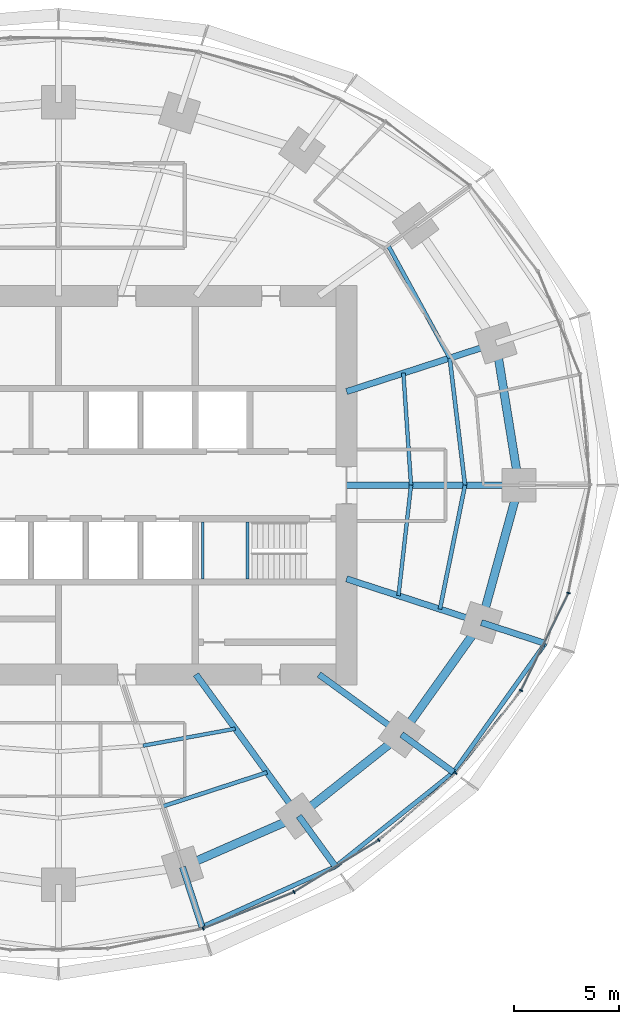
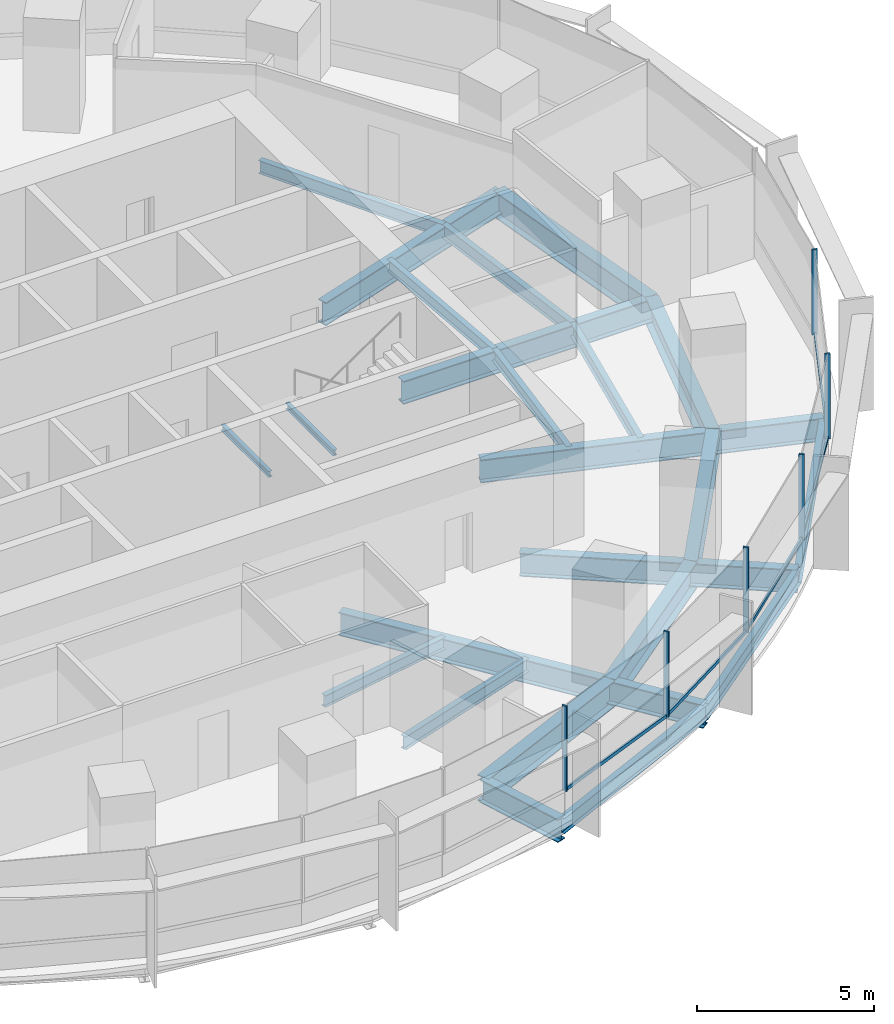
# One storey, part 5 of 14: 26 beams, 11 members, 2 elements without a shape of their own.
"""IFC4 building model written with IfcOpenShell, lengths in metres."""

from ifc_helpers import new_model, si_unit, direction, frame, origin, origin_2d, place, context, subcontext, project, spatial, rectangle, i_section, extrude, material, material_profile, profile_set, type_object, element, aggregate, save


model = new_model("IFC4")

# Units and contexts
model_context = context("Model", 3, precision=1e-05, world=origin(), true_north=direction((0.0, 1.0)))
body_context = subcontext(model_context, "Body", "Model", "MODEL_VIEW")
ifc_project = project(units=[si_unit("LENGTHUNIT", "METRE"), si_unit("AREAUNIT", "SQUARE_METRE"), si_unit("VOLUMEUNIT", "CUBIC_METRE"), si_unit("PLANEANGLEUNIT", "RADIAN"), si_unit("MASSUNIT", "GRAM", prefix="KILO")], contexts=[model_context])

# Site, building, storey
site_placement = place(None, origin())
site = spatial("IfcSite", under=ifc_project, at=site_placement, CompositionType="ELEMENT")
building_placement = place(site_placement, origin())
building = spatial("IfcBuilding", under=site, at=building_placement, Name="Marramba Exchange Tower", CompositionType="ELEMENT")
storey_placement = place(building_placement, frame((0.0, 0.0, 100.199951171875)))
storey = spatial("IfcBuildingStorey", under=building, at=storey_placement, Name="L23", CompositionType="ELEMENT", Elevation=100.199951171875)

# Beams
ifc_material_1 = material(Name="Steel AS/NZS 3679.2 grade 300", Category="steel")
ifc_material_profile_1 = material_profile(ifc_material_1, i_section(OverallWidth=0.300048828125, OverallDepth=0.800048828125, WebThickness=0.013916015625, FlangeThickness=0.031982421875, at=origin_2d()), Name="800WB192")
ifc_profile_set_1 = profile_set([ifc_material_profile_1], Name="Steel AS/NZS 3679.2 grade 300")
beam_type_1 = type_object("IfcBeamType", Name="Cantilever girder 800WB192", PredefinedType="BEAM", material=ifc_profile_set_1)
beam_1_placement = place(storey_placement, frame((5.899658203125, -18.156982421875, -0.56005859375), z_axis=(0.30903246226, -0.951051490336, 0.0), x_axis=(0.951051490336, 0.30903246226, 0.0)))
element("IfcBeam", 1, at=beam_1_placement, inside=storey, type_object=beam_type_1, Name="Cantilever girder L23 TC17", PredefinedType="BEAM", context=body_context, shape_type="SweptSolid", body=[
    extrude(i_section(OverallWidth=0.300048828125, OverallDepth=0.800048828125, WebThickness=0.013916015625, FlangeThickness=0.031982421875, at=origin_2d()), origin(), (0.0, 0.0, 1.0), 2.986328125),
])
beam_2_placement = place(storey_placement, frame((11.430419921875, -15.732666015625, -0.56005859375), z_axis=(0.587794986183, -0.8090099222, 0.0), x_axis=(0.8090099222, 0.587794986183, 0.0)))
element("IfcBeam", 2, at=beam_2_placement, inside=storey, type_object=beam_type_1, Name="Cantilever girder L23 TC18", PredefinedType="BEAM", context=body_context, shape_type="SweptSolid", body=[
    extrude(i_section(OverallWidth=0.300048828125, OverallDepth=0.800048828125, WebThickness=0.013916015625, FlangeThickness=0.031982421875, at=origin_2d()), origin(), (0.0, 0.0, 1.0), 2.9677734375),
])
beam_3_placement = place(storey_placement, frame((16.3154296875, -11.853759765625, -0.56005859375), z_axis=(0.809026231081, -0.587772538847, 0.0), x_axis=(0.587772538847, 0.809026231081, 0.0)))
element("IfcBeam", 3, at=beam_3_placement, inside=storey, type_object=beam_type_1, Name="Cantilever girder L23 TC19", PredefinedType="BEAM", context=body_context, shape_type="SweptSolid", body=[
    extrude(i_section(OverallWidth=0.300048828125, OverallDepth=0.800048828125, WebThickness=0.013916015625, FlangeThickness=0.031982421875, at=origin_2d()), origin(), (0.0, 0.0, 1.0), 3.055419921875),
])
beam_4_placement = place(storey_placement, frame((20.109375, -6.533935546875, -0.56005859375), z_axis=(0.951054839063, -0.309022156318, 0.0), x_axis=(0.309022156318, 0.951054839063, 0.0)))
element("IfcBeam", 4, at=beam_4_placement, inside=storey, type_object=beam_type_1, Name="Cantilever girder L23 TC20", PredefinedType="BEAM", context=body_context, shape_type="SweptSolid", body=[
    extrude(i_section(OverallWidth=0.300048828125, OverallDepth=0.800048828125, WebThickness=0.013916015625, FlangeThickness=0.031982421875, at=origin_2d()), origin(), (0.0, 0.0, 1.0), 3.19580078125),
])
ifc_material_2 = material(Name="Steel AS/NZS 3679.1 grade 300", Category="steel")
ifc_material_profile_2 = material_profile(ifc_material_2, i_section(OverallWidth=0.177978515625, OverallDepth=0.406005859375, WebThickness=0.0078125, FlangeThickness=0.0126953125, FilletRadius=0.011474609375, at=origin_2d()), Name="410UB59.7")
ifc_profile_set_2 = profile_set([ifc_material_profile_2], Name="Steel AS/NZS 3679.1 grade 300")
beam_type_2 = type_object("IfcBeamType", Name="Floor joist 410UB59.7", PredefinedType="JOIST", material=ifc_profile_set_2)
beam_5_placement = place(storey_placement, frame((16.7666015625, 0.0, -0.363037109375), z_axis=(-0.068096259546, 0.99767875563, 0.0), x_axis=(-0.99767875563, -0.068096259546, 0.0)))
element("IfcBeam", 5, at=beam_5_placement, inside=storey, type_object=beam_type_2, Name="Joist L23 bay 01 row 1", PredefinedType="JOIST", context=body_context, shape_type="SweptSolid", body=[
    extrude(i_section(OverallWidth=0.177978515625, OverallDepth=0.406005859375, WebThickness=0.0078125, FlangeThickness=0.0126953125, FilletRadius=0.011474609375, at=origin_2d()), origin(), (0.0, 0.0, 1.0), 5.342041015625),
])
beam_6_placement = place(storey_placement, frame((4.0244140625, -12.3857421875, -0.363037109375), z_axis=(0.983455754421, 0.181148500119, 0.0), x_axis=(-0.181148500119, 0.983455754421, 0.0)))
element("IfcBeam", 6, at=beam_6_placement, inside=storey, type_object=beam_type_2, Name="Joist L23 bay 17 row 1", PredefinedType="JOIST", context=body_context, shape_type="SweptSolid", body=[
    extrude(i_section(OverallWidth=0.177978515625, OverallDepth=0.406005859375, WebThickness=0.0078125, FlangeThickness=0.0126953125, FilletRadius=0.011474609375, at=origin_2d()), origin(), (0.0, 0.0, 1.0), 4.4609375),
])
beam_7_placement = place(storey_placement, frame((16.169677734375, -5.25390625, -0.363037109375), z_axis=(0.112888968594, 0.993607609054, 0.0), x_axis=(-0.993607609054, 0.112888968594, 0.0)))
element("IfcBeam", 7, at=beam_7_placement, inside=storey, type_object=beam_type_2, Name="Joist L23 bay 20 row 1", PredefinedType="JOIST", context=body_context, shape_type="SweptSolid", body=[
    extrude(i_section(OverallWidth=0.177978515625, OverallDepth=0.406005859375, WebThickness=0.0078125, FlangeThickness=0.0126953125, FilletRadius=0.011474609375, at=origin_2d()), origin(), (0.0, 0.0, 1.0), 5.28759765625),
])
ifc_material_profile_3 = material_profile(ifc_material_2, i_section(OverallWidth=0.18994140625, OverallDepth=0.4541015625, WebThickness=0.008544921875, FlangeThickness=0.0126953125, FilletRadius=0.011474609375, at=origin_2d()), Name="460UB67.1")
ifc_profile_set_3 = profile_set([ifc_material_profile_3], Name="Steel AS/NZS 3679.1 grade 300")
beam_type_3 = type_object("IfcBeamType", Name="Floor joist 460UB67.1", PredefinedType="JOIST", material=ifc_profile_set_3)
beam_8_placement = place(storey_placement, frame((19.333251953125, 0.0, -0.386962890625), z_axis=(-0.119523078538, 0.992831422597, 0.0), x_axis=(-0.992831422597, -0.119523078538, 0.0)))
element("IfcBeam", 8, at=beam_8_placement, inside=storey, type_object=beam_type_3, Name="Joist L23 bay 01 row 2", PredefinedType="JOIST", context=body_context, shape_type="SweptSolid", body=[
    extrude(i_section(OverallWidth=0.18994140625, OverallDepth=0.4541015625, WebThickness=0.008544921875, FlangeThickness=0.0126953125, FilletRadius=0.011474609375, at=origin_2d()), origin(), (0.0, 0.0, 1.0), 6.089111328125),
])
beam_9_placement = place(storey_placement, frame((18.60546875, 6.04541015625, -0.386962890625), z_axis=(-0.479584443791, 0.877495732909, 0.0), x_axis=(-0.877495732909, -0.479584443791, 0.0)))
element("IfcBeam", 9, at=beam_9_placement, inside=storey, type_object=beam_type_3, Name="Joist L23 bay 02 row 2", PredefinedType="JOIST", context=body_context, shape_type="SweptSolid", body=[
    extrude(i_section(OverallWidth=0.18994140625, OverallDepth=0.4541015625, WebThickness=0.008544921875, FlangeThickness=0.0126953125, FilletRadius=0.011474609375, at=origin_2d()), origin(), (0.0, 0.0, 1.0), 6.094970703125),
])
beam_10_placement = place(storey_placement, frame((4.9619140625, -15.271484375, -0.386962890625), z_axis=(0.950764024931, 0.309915744834, 0.0), x_axis=(-0.309915744834, 0.950764024931, 0.0)))
element("IfcBeam", 10, at=beam_10_placement, inside=storey, type_object=beam_type_3, Name="Joist L23 bay 17 row 2", PredefinedType="JOIST", context=body_context, shape_type="SweptSolid", body=[
    extrude(i_section(OverallWidth=0.18994140625, OverallDepth=0.4541015625, WebThickness=0.008544921875, FlangeThickness=0.0126953125, FilletRadius=0.011474609375, at=origin_2d()), origin(), (0.0, 0.0, 1.0), 5.2158203125),
])
beam_11_placement = place(storey_placement, frame((18.1396484375, -5.893798828125, -0.386962890625), z_axis=(0.198489047047, 0.980103105904, 0.0), x_axis=(-0.980103105904, 0.198489047047, 0.0)))
element("IfcBeam", 11, at=beam_11_placement, inside=storey, type_object=beam_type_3, Name="Joist L23 bay 20 row 2", PredefinedType="JOIST", context=body_context, shape_type="SweptSolid", body=[
    extrude(i_section(OverallWidth=0.18994140625, OverallDepth=0.4541015625, WebThickness=0.008544921875, FlangeThickness=0.0126953125, FilletRadius=0.011474609375, at=origin_2d()), origin(), (0.0, 0.0, 1.0), 6.013427734375),
])

# Curtain wall, member
ifc_material_3 = material(Name="Aluminium framing, bronze anodised", Category="aluminium")
curtain_wall_type = type_object("IfcCurtainWallType", Name="Office ribbon curtain wall", PredefinedType="USERDEFINED", material=ifc_material_3)
curtain_wall_1_placement = place(storey_placement, origin())
curtain_wall_1 = element("IfcCurtainWall", 12, at=curtain_wall_1_placement, inside=storey, type_object=curtain_wall_type, Name="Curtain wall CW4 L23 F21-F25", ObjectType="RIBBON CURTAIN WALL", PredefinedType="USERDEFINED")
ifc_material_4 = material(Name="Aluminium mullion, bronze anodised", Category="aluminium")
ifc_material_profile_4 = material_profile(ifc_material_4, rectangle(XDim=0.159912109375, YDim=0.06005859375, at=origin_2d()), Name="CW4 mullion 60x160")
ifc_profile_set_4 = profile_set([ifc_material_profile_4], Name="Aluminium mullion, bronze anodised")
member_type_1 = type_object("IfcMemberType", Name="Office ribbon curtain wall mullion", PredefinedType="MULLION", material=ifc_profile_set_4)
member_1_placement = place(storey_placement, frame((6.881103515625, -21.0810546875, 0.800048828125), z_axis=(0.0, 0.0, 1.0), x_axis=(-0.372209067082, 0.928148916059, 0.0)))
member_1 = element("IfcMember", 13, at=member_1_placement, type_object=member_type_1, Name="CW4 mullion 1", PredefinedType="MULLION", context=body_context, shape_type="SweptSolid", body=[
    extrude(rectangle(XDim=0.159912109375, YDim=0.06005859375, at=origin_2d()), origin(), (0.0, 0.0, 1.0), 2.93994140625),
])

# Curtain wall, members
curtain_wall_2_placement = place(storey_placement, origin())
curtain_wall_2 = element("IfcCurtainWall", 14, at=curtain_wall_2_placement, inside=storey, type_object=curtain_wall_type, Name="Curtain wall CW4 L23 F26-F30", ObjectType="RIBBON CURTAIN WALL", PredefinedType="USERDEFINED")
member_2_placement = place(storey_placement, frame((11.2021484375, -19.3427734375, 0.800048828125), z_axis=(0.0, 0.0, 1.0), x_axis=(-0.521732535664, 0.853109114492, 0.0)))
member_2 = element("IfcMember", 15, at=member_2_placement, type_object=member_type_1, Name="CW4 mullion 1", PredefinedType="MULLION", context=body_context, shape_type="SweptSolid", body=[
    extrude(rectangle(XDim=0.159912109375, YDim=0.06005859375, at=origin_2d()), origin(), (0.0, 0.0, 1.0), 2.93994140625),
])
member_3_placement = place(storey_placement, frame((15.232177734375, -16.872314453125, 0.800048828125), z_axis=(0.0, 0.0, 1.0), x_axis=(-0.656431647438, 0.754385506384, 0.0)))
member_3 = element("IfcMember", 16, at=member_3_placement, type_object=member_type_1, Name="CW4 mullion 1", PredefinedType="MULLION", context=body_context, shape_type="SweptSolid", body=[
    extrude(rectangle(XDim=0.159912109375, YDim=0.06005859375, at=origin_2d()), origin(), (0.0, 0.0, 1.0), 2.93994140625),
])
member_4_placement = place(storey_placement, frame((18.886962890625, -13.68505859375, 0.800048828125), z_axis=(0.0, 0.0, 1.0), x_axis=(-0.783170139469, 0.621807472329, 0.0)))
member_4 = element("IfcMember", 17, at=member_4_placement, type_object=member_type_1, Name="CW4 mullion 1", PredefinedType="MULLION", context=body_context, shape_type="SweptSolid", body=[
    extrude(rectangle(XDim=0.159912109375, YDim=0.06005859375, at=origin_2d()), origin(), (0.0, 0.0, 1.0), 2.93994140625),
])
member_5_placement = place(storey_placement, frame((21.994873046875, -9.760009765625, 0.800048828125), z_axis=(0.0, 0.0, 1.0), x_axis=(-0.89844486976, 0.439086342308, 0.0)))
member_5 = element("IfcMember", 18, at=member_5_placement, type_object=member_type_1, Name="CW4 mullion 1", PredefinedType="MULLION", context=body_context, shape_type="SweptSolid", body=[
    extrude(rectangle(XDim=0.159912109375, YDim=0.06005859375, at=origin_2d()), origin(), (0.0, 0.0, 1.0), 2.93994140625),
])
member_6_placement = place(storey_placement, frame((24.252197265625, -5.124267578125, 0.800048828125), z_axis=(0.0, 0.0, 1.0), x_axis=(-0.980393739376, 0.197048511267, 0.0)))
member_6 = element("IfcMember", 19, at=member_6_placement, type_object=member_type_1, Name="CW4 mullion 1", PredefinedType="MULLION", context=body_context, shape_type="SweptSolid", body=[
    extrude(rectangle(XDim=0.159912109375, YDim=0.06005859375, at=origin_2d()), origin(), (0.0, 0.0, 1.0), 2.93994140625),
])

# Member
ifc_material_5 = material(Name="Aluminium transom, bronze anodised", Category="aluminium")
ifc_material_profile_5 = material_profile(ifc_material_5, rectangle(XDim=0.06005859375, YDim=0.1201171875, at=origin_2d()), Name="CW4 transom 60x120")
ifc_profile_set_5 = profile_set([ifc_material_profile_5], Name="Aluminium transom, bronze anodised")
member_type_2 = type_object("IfcMemberType", Name="Office ribbon curtain wall transom", PredefinedType="USERDEFINED", material=ifc_profile_set_5)
member_7_placement = place(storey_placement, frame((6.908935546875, -21.06982421875, 0.830078125), z_axis=(0.928146753748, 0.372214459026, 0.0), x_axis=(-0.372214459026, 0.928146753748, 0.0)))
member_7 = element("IfcMember", 20, at=member_7_placement, type_object=member_type_2, Name="CW4 sill transom", ObjectType="TRANSOM", PredefinedType="USERDEFINED", context=body_context, shape_type="SweptSolid", body=[
    extrude(rectangle(XDim=0.06005859375, YDim=0.1201171875, at=origin_2d()), origin(), (0.0, 0.0, 1.0), 4.597900390625),
])

aggregate(curtain_wall_1, [member_1, member_7])

member_8_placement = place(storey_placement, frame((11.227783203125, -19.3271484375, 0.830078125), z_axis=(0.853124051379, 0.52170811088, 0.0), x_axis=(-0.52170811088, 0.853124051379, 0.0)))
member_8 = element("IfcMember", 21, at=member_8_placement, type_object=member_type_2, Name="CW4 sill transom", ObjectType="TRANSOM", PredefinedType="USERDEFINED", context=body_context, shape_type="SweptSolid", body=[
    extrude(rectangle(XDim=0.06005859375, YDim=0.1201171875, at=origin_2d()), origin(), (0.0, 0.0, 1.0), 4.66748046875),
])

member_9_placement = place(storey_placement, frame((15.2548828125, -16.8525390625, 0.830078125), z_axis=(0.754392594189, 0.65642350189, 0.0), x_axis=(-0.65642350189, 0.754392594189, 0.0)))
member_9 = element("IfcMember", 22, at=member_9_placement, type_object=member_type_2, Name="CW4 sill transom", ObjectType="TRANSOM", PredefinedType="USERDEFINED", context=body_context, shape_type="SweptSolid", body=[
    extrude(rectangle(XDim=0.06005859375, YDim=0.1201171875, at=origin_2d()), origin(), (0.0, 0.0, 1.0), 4.78955078125),
])

member_10_placement = place(storey_placement, frame((18.905517578125, -13.66162109375, 0.830078125), z_axis=(0.621777997945, 0.783193540111, 0.0), x_axis=(-0.783193540111, 0.621777997945, 0.0)))
member_10 = element("IfcMember", 23, at=member_10_placement, type_object=member_type_2, Name="CW4 sill transom", ObjectType="TRANSOM", PredefinedType="USERDEFINED", context=body_context, shape_type="SweptSolid", body=[
    extrude(rectangle(XDim=0.06005859375, YDim=0.1201171875, at=origin_2d()), origin(), (0.0, 0.0, 1.0), 4.947265625),
])

member_11_placement = place(storey_placement, frame((22.008056640625, -9.73291015625, 0.830078125), z_axis=(0.439090714557, 0.898442732949, 0.0), x_axis=(-0.898442732949, 0.439090714557, 0.0)))
member_11 = element("IfcMember", 24, at=member_11_placement, type_object=member_type_2, Name="CW4 sill transom", ObjectType="TRANSOM", PredefinedType="USERDEFINED", context=body_context, shape_type="SweptSolid", body=[
    extrude(rectangle(XDim=0.06005859375, YDim=0.1201171875, at=origin_2d()), origin(), (0.0, 0.0, 1.0), 5.096923828125),
])

aggregate(curtain_wall_2, [member_2, member_8, member_3, member_9, member_4, member_10, member_5, member_11, member_6])

# Beams
ifc_material_profile_6 = material_profile(ifc_material_1, i_section(OverallWidth=0.300048828125, OverallDepth=0.800048828125, WebThickness=0.013916015625, FlangeThickness=0.031982421875, at=origin_2d()), Name="800WB192")
ifc_profile_set_6 = profile_set([ifc_material_profile_6], Name="Steel AS/NZS 3679.2 grade 300")
beam_type_4 = type_object("IfcBeamType", Name="Radial girder 800WB192", PredefinedType="BEAM", material=ifc_profile_set_6)
beam_12_placement = place(storey_placement, frame((13.699951171875, 0.0, -0.56005859375), z_axis=(1.0, 0.0, 0.0), x_axis=(0.0, 1.0, 0.0)))
element("IfcBeam", 25, at=beam_12_placement, inside=storey, type_object=beam_type_4, Name="Radial girder L23 TC01", PredefinedType="BEAM", context=body_context, shape_type="SweptSolid", body=[
    extrude(i_section(OverallWidth=0.300048828125, OverallDepth=0.800048828125, WebThickness=0.013916015625, FlangeThickness=0.031982421875, at=origin_2d()), origin(), (0.0, 0.0, 1.0), 8.199951171875),
])
beam_13_placement = place(storey_placement, frame((13.699951171875, 4.451416015625, -0.56005859375), z_axis=(0.951059990189, 0.309006302624, 0.0), x_axis=(-0.309006302624, 0.951059990189, 0.0)))
element("IfcBeam", 26, at=beam_13_placement, inside=storey, type_object=beam_type_4, Name="Radial girder L23 TC02", PredefinedType="BEAM", context=body_context, shape_type="SweptSolid", body=[
    extrude(i_section(OverallWidth=0.300048828125, OverallDepth=0.800048828125, WebThickness=0.013916015625, FlangeThickness=0.031982421875, at=origin_2d()), origin(), (0.0, 0.0, 1.0), 7.47412109375),
])
beam_14_placement = place(storey_placement, frame((6.538818359375, -9.0, -0.56005859375), z_axis=(0.587787877172, -0.809015087282, 0.0), x_axis=(0.809015087282, 0.587787877172, 0.0)))
element("IfcBeam", 27, at=beam_14_placement, inside=storey, type_object=beam_type_4, Name="Radial girder L23 TC18", PredefinedType="BEAM", context=body_context, shape_type="SweptSolid", body=[
    extrude(i_section(OverallWidth=0.300048828125, OverallDepth=0.800048828125, WebThickness=0.013916015625, FlangeThickness=0.031982421875, at=origin_2d()), origin(), (0.0, 0.0, 1.0), 8.322021484375),
])
beam_15_placement = place(storey_placement, frame((12.387451171875, -9.0, -0.56005859375), z_axis=(0.809025189606, -0.58777397236, 0.0), x_axis=(0.58777397236, 0.809025189606, 0.0)))
element("IfcBeam", 28, at=beam_15_placement, inside=storey, type_object=beam_type_4, Name="Radial girder L23 TC19", PredefinedType="BEAM", context=body_context, shape_type="SweptSolid", body=[
    extrude(i_section(OverallWidth=0.300048828125, OverallDepth=0.800048828125, WebThickness=0.013916015625, FlangeThickness=0.031982421875, at=origin_2d()), origin(), (0.0, 0.0, 1.0), 4.855224609375),
])
beam_16_placement = place(storey_placement, frame((13.699951171875, -4.451416015625, -0.56005859375), z_axis=(0.951057759669, -0.309013167637, 0.0), x_axis=(0.309013167637, 0.951057759669, 0.0)))
element("IfcBeam", 29, at=beam_16_placement, inside=storey, type_object=beam_type_4, Name="Radial girder L23 TC20", PredefinedType="BEAM", context=body_context, shape_type="SweptSolid", body=[
    extrude(i_section(OverallWidth=0.300048828125, OverallDepth=0.800048828125, WebThickness=0.013916015625, FlangeThickness=0.031982421875, at=origin_2d()), origin(), (0.0, 0.0, 1.0), 6.7392578125),
])
ifc_material_profile_7 = material_profile(ifc_material_1, i_section(OverallWidth=0.39990234375, OverallDepth=0.89990234375, WebThickness=0.01611328125, FlangeThickness=0.031982421875, at=origin_2d()), Name="900WB282")
ifc_profile_set_7 = profile_set([ifc_material_profile_7], Name="Steel AS/NZS 3679.2 grade 300")
beam_type_5 = type_object("IfcBeamType", Name="Ring beam 900WB282", PredefinedType="SPANDREL", material=ifc_profile_set_7)
beam_17_placement = place(storey_placement, frame((21.89990234375, 0.0, -0.60986328125), z_axis=(-0.159384865399, 0.987216523708, 0.0), x_axis=(-0.987216523708, -0.159384865399, 0.0)))
element("IfcBeam", 30, at=beam_17_placement, inside=storey, type_object=beam_type_5, Name="Ring beam L23 TC01-TC02", PredefinedType="SPANDREL", context=body_context, shape_type="SweptSolid", body=[
    extrude(i_section(OverallWidth=0.39990234375, OverallDepth=0.89990234375, WebThickness=0.01611328125, FlangeThickness=0.031982421875, at=origin_2d()), origin(), (0.0, 0.0, 1.0), 6.8486328125),
])
beam_18_placement = place(storey_placement, frame((5.899658203125, -18.156982421875, -0.60986328125), z_axis=(0.915876892158, 0.4014592363, 0.0), x_axis=(-0.4014592363, 0.915876892158, 0.0)))
element("IfcBeam", 31, at=beam_18_placement, inside=storey, type_object=beam_type_5, Name="Ring beam L23 TC17-TC18", PredefinedType="SPANDREL", context=body_context, shape_type="SweptSolid", body=[
    extrude(i_section(OverallWidth=0.39990234375, OverallDepth=0.89990234375, WebThickness=0.01611328125, FlangeThickness=0.031982421875, at=origin_2d()), origin(), (0.0, 0.0, 1.0), 6.038818359375),
])
beam_19_placement = place(storey_placement, frame((11.430419921875, -15.732666015625, -0.60986328125), z_axis=(0.783139438128, 0.621846138887, 0.0), x_axis=(-0.621846138887, 0.783139438128, 0.0)))
element("IfcBeam", 32, at=beam_19_placement, inside=storey, type_object=beam_type_5, Name="Ring beam L23 TC18-TC19", PredefinedType="SPANDREL", context=body_context, shape_type="SweptSolid", body=[
    extrude(i_section(OverallWidth=0.39990234375, OverallDepth=0.89990234375, WebThickness=0.01611328125, FlangeThickness=0.031982421875, at=origin_2d()), origin(), (0.0, 0.0, 1.0), 6.23779296875),
])
beam_20_placement = place(storey_placement, frame((16.3154296875, -11.853759765625, -0.60986328125), z_axis=(0.580637181111, 0.814162430914, 0.0), x_axis=(-0.814162430914, 0.580637181111, 0.0)))
element("IfcBeam", 33, at=beam_20_placement, inside=storey, type_object=beam_type_5, Name="Ring beam L23 TC19-TC20", PredefinedType="SPANDREL", context=body_context, shape_type="SweptSolid", body=[
    extrude(i_section(OverallWidth=0.39990234375, OverallDepth=0.89990234375, WebThickness=0.01611328125, FlangeThickness=0.031982421875, at=origin_2d()), origin(), (0.0, 0.0, 1.0), 6.5341796875),
])
beam_21_placement = place(storey_placement, frame((20.109375, -6.533935546875, -0.60986328125), z_axis=(0.264291166956, 0.964442937176, 0.0), x_axis=(-0.964442937176, 0.264291166956, 0.0)))
element("IfcBeam", 34, at=beam_21_placement, inside=storey, type_object=beam_type_5, Name="Ring beam L23 TC20-TC01", PredefinedType="SPANDREL", context=body_context, shape_type="SweptSolid", body=[
    extrude(i_section(OverallWidth=0.39990234375, OverallDepth=0.89990234375, WebThickness=0.01611328125, FlangeThickness=0.031982421875, at=origin_2d()), origin(), (0.0, 0.0, 1.0), 6.77490234375),
])
ifc_material_profile_8 = material_profile(ifc_material_2, i_section(OverallWidth=0.208984375, OverallDepth=0.528076171875, WebThickness=0.009521484375, FlangeThickness=0.01318359375, FilletRadius=0.013916015625, at=origin_2d()), Name="530UB82.0")
ifc_profile_set_8 = profile_set([ifc_material_profile_8], Name="Steel AS/NZS 3679.1 grade 300")
beam_type_6 = type_object("IfcBeamType", Name="Slab edge beam 530UB82.0", PredefinedType="SPANDREL", material=ifc_profile_set_8)
beam_22_placement = place(storey_placement, frame((6.822509765625, -20.9970703125, -0.424072265625), z_axis=(0.911653171624, 0.410960453898, 0.0), x_axis=(-0.410960453898, 0.911653171624, 0.0)))
element("IfcBeam", 35, at=beam_22_placement, inside=storey, type_object=beam_type_6, Name="Slab edge beam L23 TC17-TC18", PredefinedType="SPANDREL", context=body_context, shape_type="SweptSolid", body=[
    extrude(i_section(OverallWidth=0.208984375, OverallDepth=0.528076171875, WebThickness=0.009521484375, FlangeThickness=0.01318359375, FilletRadius=0.013916015625, at=origin_2d()), origin(), (0.0, 0.0, 1.0), 6.9677734375),
])
beam_23_placement = place(storey_placement, frame((13.1748046875, -18.133544921875, -0.424072265625), z_axis=(0.781286404457, 0.624172695822, 0.0), x_axis=(-0.624172695822, 0.781286404457, 0.0)))
element("IfcBeam", 36, at=beam_23_placement, inside=storey, type_object=beam_type_6, Name="Slab edge beam L23 TC18-TC19", PredefinedType="SPANDREL", context=body_context, shape_type="SweptSolid", body=[
    extrude(i_section(OverallWidth=0.208984375, OverallDepth=0.528076171875, WebThickness=0.009521484375, FlangeThickness=0.01318359375, FilletRadius=0.013916015625, at=origin_2d()), origin(), (0.0, 0.0, 1.0), 7.183837890625),
])
beam_24_placement = place(storey_placement, frame((18.787353515625, -13.649658203125, -0.424072265625), z_axis=(0.579834168245, 0.814734519543, 0.0), x_axis=(-0.814734519543, 0.579834168245, 0.0)))
element("IfcBeam", 37, at=beam_24_placement, inside=storey, type_object=beam_type_6, Name="Slab edge beam L23 TC19-TC20", PredefinedType="SPANDREL", context=body_context, shape_type="SweptSolid", body=[
    extrude(i_section(OverallWidth=0.208984375, OverallDepth=0.528076171875, WebThickness=0.009521484375, FlangeThickness=0.01318359375, FilletRadius=0.013916015625, at=origin_2d()), origin(), (0.0, 0.0, 1.0), 7.521728515625),
])
ifc_material_profile_9 = material_profile(ifc_material_2, i_section(OverallWidth=0.133056640625, OverallDepth=0.202880859375, WebThickness=0.005859375, FlangeThickness=0.0078125, FilletRadius=0.0087890625, at=origin_2d()), Name="200UB25.4")
ifc_profile_set_9 = profile_set([ifc_material_profile_9], Name="Steel AS/NZS 3679.1 grade 300")
beam_type_7 = type_object("IfcBeamType", Name="Stair landing beam 200UB25.4", PredefinedType="BEAM", material=ifc_profile_set_9)
for number, where, z_axis, x_axis, name in (
    (38, (6.866455078125, -4.449951171875, 1.6484375), (0.0, 1.0, 0.0), (-1.0, 0.0, 0.0), "Stair landing beam SLB1 ST2 L23 1"),
    (39, (8.9833984375, -4.449951171875, 1.6484375), (0.0, 1.0, 0.0), (-1.0, 0.0, 0.0), "Stair landing beam SLB1 ST2 L23 2"),
):
    element("IfcBeam", number, at=place(storey_placement, frame(where, z_axis=z_axis, x_axis=x_axis)), inside=storey, type_object=beam_type_7, Name=name, PredefinedType="BEAM", context=body_context, shape_type="SweptSolid", body=[
        extrude(i_section(OverallWidth=0.133056640625, OverallDepth=0.202880859375, WebThickness=0.005859375, FlangeThickness=0.0078125, FilletRadius=0.0087890625, at=origin_2d()), origin(), (0.0, 0.0, 1.0), 2.699951171875),
    ])

save(model, "model.ifc")
